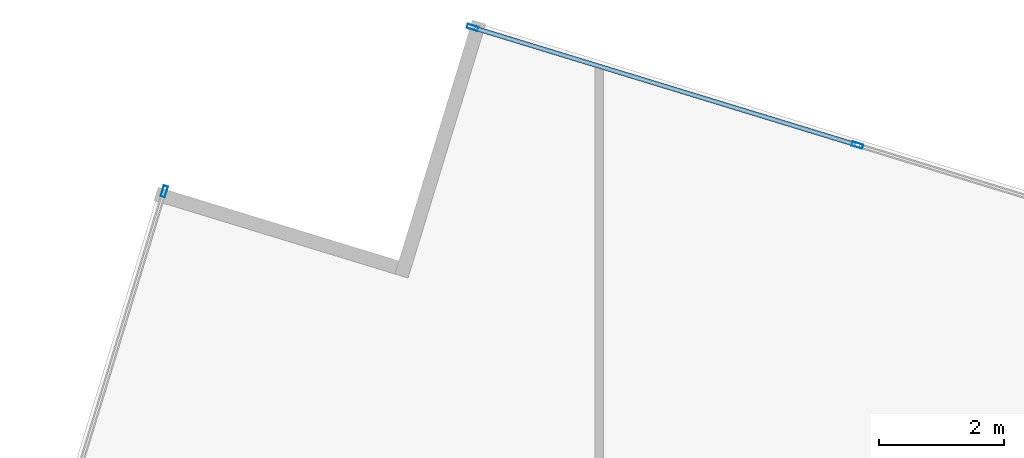
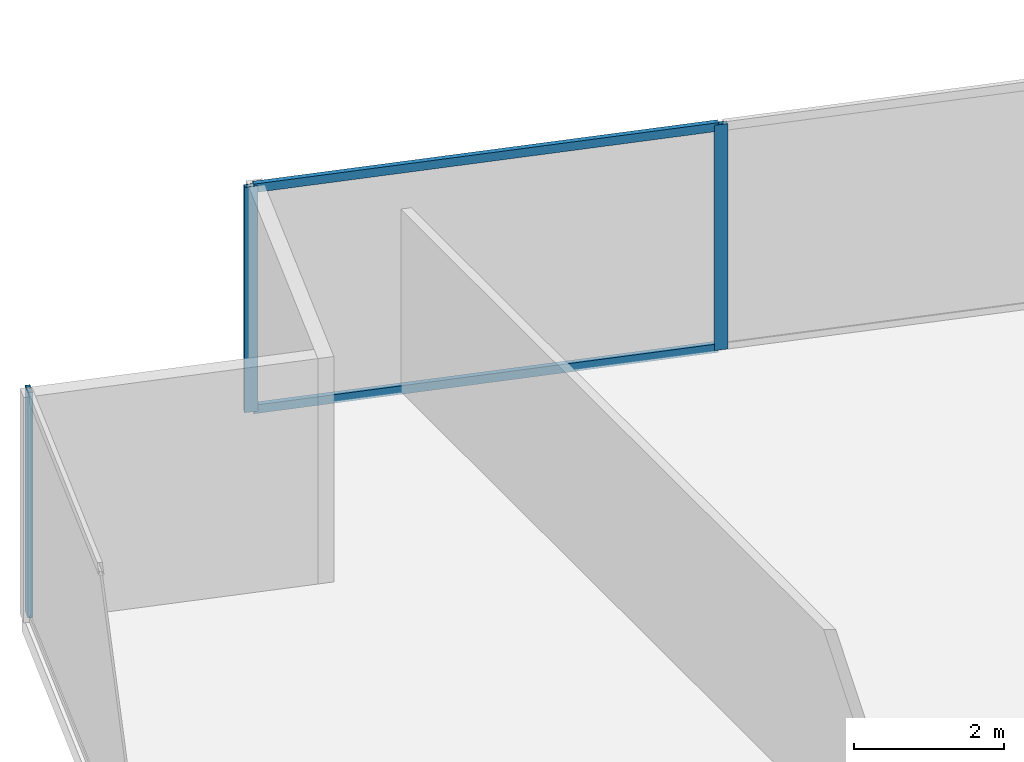
# One storey, part 16 of 26: 5 members, 2 elements without a shape of their own.
"""IFC4 building model written with IfcOpenShell, lengths in metres."""

from ifc_helpers import new_model, si_unit, direction, frame, origin, origin_2d, place, context, subcontext, project, spatial, hollow_rectangle, extrude, source, transform, mapped, material, material_profile, profile_set, type_object, type_shapes, element, aggregate, save


model = new_model("IFC4")

# Units and contexts
model_context = context("Model", 3, precision=1e-05, world=origin(), true_north=direction((0.0, 1.0)))
body_context = subcontext(model_context, "Body", "Model", "MODEL_VIEW")
ifc_project = project(units=[si_unit("LENGTHUNIT", "METRE"), si_unit("AREAUNIT", "SQUARE_METRE"), si_unit("VOLUMEUNIT", "CUBIC_METRE"), si_unit("PLANEANGLEUNIT", "RADIAN"), si_unit("MASSUNIT", "GRAM", prefix="KILO")], contexts=[model_context])

# Site, building, storey
site_placement = place(None, origin())
site = spatial("IfcSite", under=ifc_project, at=site_placement, CompositionType="ELEMENT")
building_placement = place(site_placement, origin())
building = spatial("IfcBuilding", under=site, at=building_placement, Name="Krantzveldt Concourse Tower", CompositionType="ELEMENT")
storey_placement = place(building_placement, frame((0.0, 0.0, 109.800048828125)))
storey = spatial("IfcBuildingStorey", under=building, at=storey_placement, Name="L26", CompositionType="ELEMENT", Elevation=109.800048828125)

# Curtain wall, member
ifc_material = material(Name="Anodised aluminium 6063-T6", Category="aluminium")
curtain_wall_type = type_object("IfcCurtainWallType", Name="CW2", PredefinedType="USERDEFINED", material=ifc_material)
curtain_wall_1_placement = place(storey_placement, origin())
curtain_wall_1 = element("IfcCurtainWall", 1, at=curtain_wall_1_placement, inside=storey, type_object=curtain_wall_type, Name="CW-L26-F01", ObjectType="UNITISED CURTAIN WALL", PredefinedType="USERDEFINED")
ifc_material_profile_1 = material_profile(ifc_material, hollow_rectangle(XDim=0.070068359375, YDim=0.179931640625, WallThickness=0.0048828125, at=origin_2d()), Name="Anodised aluminium 6063-T6", Category="aluminium")
ifc_profile_set_1 = profile_set([ifc_material_profile_1], Name="Anodised aluminium 6063-T6 - ALU-MULL 180x70x5")
member_type_1 = type_object("IfcMemberType", Name="CW-MUL-180", PredefinedType="MULLION", material=ifc_profile_set_1)
shared_shape_1 = source(origin(), body_context, "Body", "SweptSolid", [
    extrude(hollow_rectangle(XDim=0.070068359375, YDim=0.179931640625, WallThickness=0.0048828125, at=origin_2d()), origin(), (0.0, 0.0, 1.0), 3.669921875),
])
type_shapes(member_type_1, [shared_shape_1])
member_1_placement = place(storey_placement, frame((19.370361328125, 52.033935546875, 0.0), z_axis=(0.0, 0.0, 1.0), x_axis=(0.956304761423, -0.292371686864, 0.0)))
member_1 = element("IfcMember", 2, at=member_1_placement, type_object=member_type_1, Name="CW-Z12 mullion 1", PredefinedType="MULLION", context=body_context, shape_type="MappedRepresentation", body=[
    mapped(shared_shape_1, transform((0.0, 0.0, 0.0), x_axis=(1.0, 0.0, 0.0), y_axis=(0.0, 1.0, 0.0), z_axis=(0.0, 0.0, 1.0), scale=1.0)),
])
aggregate(curtain_wall_1, [member_1])

# Curtain wall, members
curtain_wall_2_placement = place(storey_placement, origin())
curtain_wall_2 = element("IfcCurtainWall", 3, at=curtain_wall_2_placement, inside=storey, type_object=curtain_wall_type, Name="CW-L26-F10", ObjectType="UNITISED CURTAIN WALL", PredefinedType="USERDEFINED")
member_2_placement = place(storey_placement, frame((30.447021484375, 52.772705078125, 0.0), z_axis=(0.0, 0.0, 1.0), x_axis=(-0.292371686864, -0.956304761423, 0.0)))
member_2 = element("IfcMember", 4, at=member_2_placement, type_object=member_type_1, Name="CW-Z12 mullion 6", PredefinedType="MULLION", context=body_context, shape_type="MappedRepresentation", body=[
    mapped(shared_shape_1, transform((0.0, 0.0, 0.0), x_axis=(1.0, 0.0, 0.0), y_axis=(0.0, 1.0, 0.0), z_axis=(0.0, 0.0, 1.0), scale=1.0)),
])
member_3_placement = place(storey_placement, frame((24.29638671875, 54.6533203125, 0.0), z_axis=(0.0, 0.0, 1.0), x_axis=(-0.292371686864, -0.956304761423, 0.0)))
member_3 = element("IfcMember", 5, at=member_3_placement, type_object=member_type_1, Name="CW-Z12 mullion 7", PredefinedType="MULLION", context=body_context, shape_type="MappedRepresentation", body=[
    mapped(shared_shape_1, transform((0.0, 0.0, 0.0), x_axis=(1.0, 0.0, 0.0), y_axis=(0.0, 1.0, 0.0), z_axis=(0.0, 0.0, 1.0), scale=1.0)),
])
ifc_material_profile_2 = material_profile(ifc_material, hollow_rectangle(XDim=0.070068359375, YDim=0.139892578125, WallThickness=0.0048828125, at=origin_2d()), Name="Anodised aluminium 6063-T6", Category="aluminium")
ifc_profile_set_2 = profile_set([ifc_material_profile_2], Name="Anodised aluminium 6063-T6 - ALU-TRAN 140x70x5")
member_type_2 = type_object("IfcMemberType", Name="CW-TRN-150", PredefinedType="USERDEFINED", material=ifc_profile_set_2)
shared_shape_2 = source(origin(), body_context, "Body", "SweptSolid", [
    extrude(hollow_rectangle(XDim=0.070068359375, YDim=0.139892578125, WallThickness=0.0048828125, at=origin_2d()), origin(), (0.0, 0.0, 1.0), 6.36181640625),
])
type_shapes(member_type_2, [shared_shape_2])
member_4_placement = place(storey_placement, frame((30.41357421875, 52.782958984375, 0.034912109375), z_axis=(-0.956299421457, 0.292389152537, 0.0), x_axis=(-0.292389152537, -0.956299421457, 0.0)))
member_4 = element("IfcMember", 6, at=member_4_placement, type_object=member_type_2, Name="CW-Z12 transom 6.1", ObjectType="TRANSOM", PredefinedType="USERDEFINED", context=body_context, shape_type="MappedRepresentation", body=[
    mapped(shared_shape_2, transform((0.0, 0.0, 0.0), x_axis=(1.0, 0.0, 0.0), y_axis=(0.0, 1.0, 0.0), z_axis=(0.0, 0.0, 1.0), scale=1.0)),
])
member_5_placement = place(storey_placement, frame((30.41357421875, 52.782958984375, 3.635009765625), z_axis=(-0.956299421457, 0.292389152537, 0.0), x_axis=(-0.292389152537, -0.956299421457, 0.0)))
member_5 = element("IfcMember", 7, at=member_5_placement, type_object=member_type_2, Name="CW-Z12 transom 6.2", ObjectType="TRANSOM", PredefinedType="USERDEFINED", context=body_context, shape_type="MappedRepresentation", body=[
    mapped(shared_shape_2, transform((0.0, 0.0, 0.0), x_axis=(1.0, 0.0, 0.0), y_axis=(0.0, 1.0, 0.0), z_axis=(0.0, 0.0, 1.0), scale=1.0)),
])
aggregate(curtain_wall_2, [member_2, member_3, member_4, member_5])

save(model, "model.ifc")
